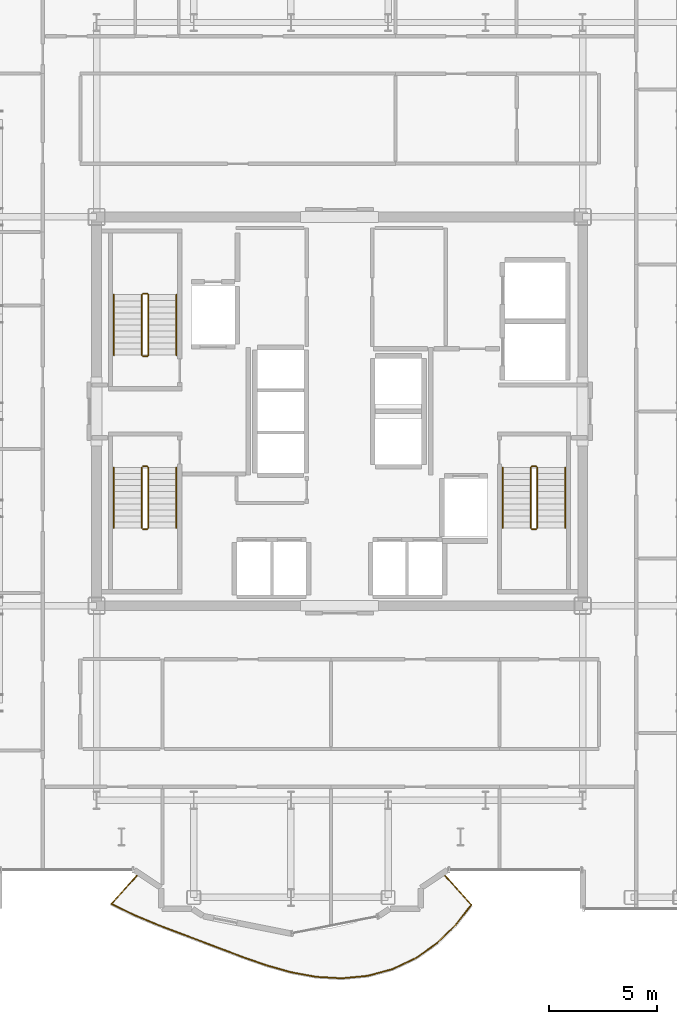
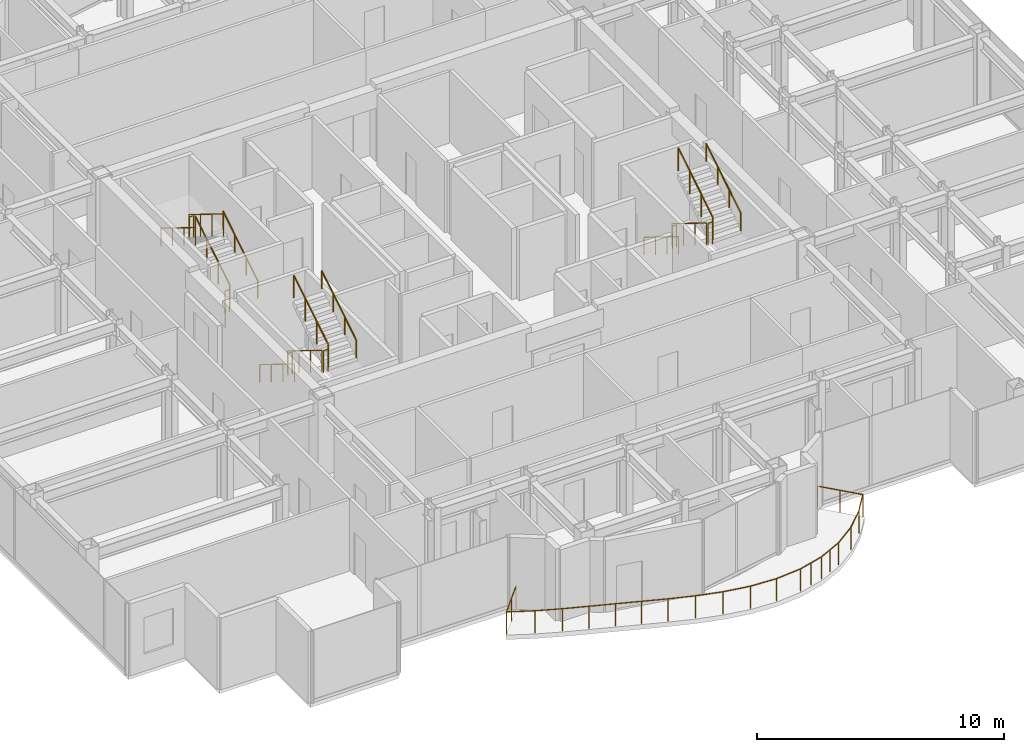
# One storey, part 20 of 21: 19 railings.
"""IFC4 building model written with IfcOpenShell, lengths in metres."""

from ifc_helpers import new_model, si_unit, direction, frame, origin, origin_2d, place, context, subcontext, project, spatial, circle, extrude, material, type_object, element, save


model = new_model("IFC4")

# Units and contexts
model_context = context("Model", 3, precision=1e-05, world=origin(), true_north=direction((0.0, 1.0)))
body_context = subcontext(model_context, "Body", "Model", "MODEL_VIEW")
ifc_project = project(units=[si_unit("LENGTHUNIT", "METRE"), si_unit("AREAUNIT", "SQUARE_METRE"), si_unit("VOLUMEUNIT", "CUBIC_METRE"), si_unit("PLANEANGLEUNIT", "RADIAN"), si_unit("MASSUNIT", "GRAM", prefix="KILO")], contexts=[model_context])

# Site, building, storey
site_placement = place(None, origin())
site = spatial("IfcSite", under=ifc_project, at=site_placement, CompositionType="ELEMENT")
building_placement = place(site_placement, origin())
building = spatial("IfcBuilding", under=site, at=building_placement, Name="Nefas-Gora Pilgrimage Tower", CompositionType="ELEMENT")
storey_placement = place(building_placement, frame((0.0, 0.0, 210.39990234375)))
storey = spatial("IfcBuildingStorey", under=building, at=storey_placement, Name="L52", CompositionType="ELEMENT", Elevation=210.39990234375)

# Railings
ifc_material_1 = material(Name="Laminated safety glass and stainless steel", Category="steel")
railing_type_1 = type_object("IfcRailingType", Name="RLG-BAL-1100", PredefinedType="BALUSTRADE", material=ifc_material_1)
railing_1_placement = place(storey_placement, frame((-9.302490234375, -21.402587890625, 0.0)))
element("IfcRailing", 1, at=railing_1_placement, inside=storey, type_object=railing_type_1, Name="L52 Wave Balcony Balustrade S2", PredefinedType="BALUSTRADE", context=body_context, shape_type="SweptSolid", body=[
    extrude(circle(Radius=0.02392578125, at=origin_2d()), frame((0.0, 0.0, 1.09619140625), z_axis=(-0.669129721026, -0.743145622634, 0.0), x_axis=(0.743145622634, -0.669129721026, 0.0)), (0.0, 0.0, 1.0), 1.880126953125),
    extrude(circle(Radius=0.02392578125, at=origin_2d()), frame((-1.258056640625, -1.397216796875, 1.09619140625), z_axis=(0.897530866126, -0.440951634934, 0.0), x_axis=(0.440951634934, 0.897530866126, 0.0)), (0.0, 0.0, 1.0), 1.156005859375),
    extrude(circle(Radius=0.02392578125, at=origin_2d()), frame((-0.220458984375, -1.906982421875, 1.09619140625), z_axis=(0.923243625246, -0.38421505494, 0.0), x_axis=(0.38421505494, 0.923243625246, 0.0)), (0.0, 0.0, 1.0), 1.1259765625),
    extrude(circle(Radius=0.02392578125, at=origin_2d()), frame((0.819091796875, -2.339599609375, 1.09619140625), z_axis=(0.934374803471, -0.356291631447, 0.0), x_axis=(0.356291631447, 0.934374803471, 0.0)), (0.0, 0.0, 1.0), 1.096435546875),
    extrude(circle(Radius=0.02392578125, at=origin_2d()), frame((1.843505859375, -2.730224609375, 1.09619140625), z_axis=(0.936142832811, -0.351619960436, 0.0), x_axis=(0.351619960436, 0.936142832811, 0.0)), (0.0, 0.0, 1.0), 1.07763671875),
    extrude(circle(Radius=0.02392578125, at=origin_2d()), frame((2.852294921875, -3.109130859375, 1.09619140625), z_axis=(0.934584678215, -0.355740747239, 0.0), x_axis=(0.355740747239, 0.934584678215, 0.0)), (0.0, 0.0, 1.0), 1.076904296875),
    extrude(circle(Radius=0.02392578125, at=origin_2d()), frame((3.858642578125, -3.4921875, 1.09619140625), z_axis=(0.935740767911, -0.352688552791, 0.0), x_axis=(0.352688552791, 0.935740767911, 0.0)), (0.0, 0.0, 1.0), 1.09375),
    extrude(circle(Radius=0.02392578125, at=origin_2d()), frame((4.882080078125, -3.8779296875, 1.09619140625), z_axis=(0.944898112614, -0.327364562496, 0.0), x_axis=(0.327364562496, 0.944898112614, 0.0)), (0.0, 0.0, 1.0), 1.122314453125),
    extrude(circle(Radius=0.02392578125, at=origin_2d()), frame((5.942626953125, -4.245361328125, 1.09619140625), z_axis=(0.96246102168, -0.271419936162, 0.0), x_axis=(0.271419936162, 0.96246102168, 0.0)), (0.0, 0.0, 1.0), 1.153076171875),
    extrude(circle(Radius=0.02392578125, at=origin_2d()), frame((7.052490234375, -4.558349609375, 1.09619140625), z_axis=(0.983449300548, -0.181183534713, 0.0), x_axis=(0.181183534713, 0.983449300548, 0.0)), (0.0, 0.0, 1.0), 1.177734375),
    extrude(circle(Radius=0.02392578125, at=origin_2d()), frame((8.210693359375, -4.771728515625, 1.09619140625), z_axis=(0.998344239726, -0.057521987157, 0.0), x_axis=(0.057521987157, 0.998344239726, 0.0)), (0.0, 0.0, 1.0), 1.192626953125),
    extrude(circle(Radius=0.02392578125, at=origin_2d()), frame((9.4013671875, -4.84033203125, 1.09619140625), z_axis=(0.995583812975, 0.093876894617, 0.0), x_axis=(-0.093876894617, 0.995583812975, 0.0)), (0.0, 0.0, 1.0), 1.198974609375),
    extrude(circle(Radius=0.02392578125, at=origin_2d()), frame((10.594970703125, -4.727783203125, 1.09619140625), z_axis=(0.965413215034, 0.260724613793, 0.0), x_axis=(-0.260724613793, 0.965413215034, 0.0)), (0.0, 0.0, 1.0), 1.200439453125),
    extrude(circle(Radius=0.02392578125, at=origin_2d()), frame((11.75390625, -4.414794921875, 1.09619140625), z_axis=(0.904015108166, 0.427500507844, 0.0), x_axis=(-0.427500507844, 0.904015108166, 0.0)), (0.0, 0.0, 1.0), 1.200439453125),
    extrude(circle(Radius=0.02392578125, at=origin_2d()), frame((12.839111328125, -3.901611328125, 1.09619140625), z_axis=(0.816392240184, 0.577497801007, 0.0), x_axis=(-0.577497801007, 0.816392240184, 0.0)), (0.0, 0.0, 1.0), 1.19970703125),
    extrude(circle(Radius=0.02392578125, at=origin_2d()), frame((13.818603515625, -3.208740234375, 1.09619140625), z_axis=(0.715228965311, 0.698890211106, 0.0), x_axis=(-0.698890211106, 0.715228965311, 0.0)), (0.0, 0.0, 1.0), 1.1953125),
    extrude(circle(Radius=0.02392578125, at=origin_2d()), frame((14.673583984375, -2.373291015625, 1.09619140625), z_axis=(0.615495930297, 0.78814006356, 0.0), x_axis=(-0.78814006356, 0.615495930297, 0.0)), (0.0, 0.0, 1.0), 1.18359375),
    extrude(circle(Radius=0.02392578125, at=origin_2d()), frame((15.402099609375, -1.4404296875, 1.09619140625), z_axis=(-0.669173462492, 0.743106235404, 0.0), x_axis=(-0.743106235404, -0.669173462492, 0.0)), (0.0, 0.0, 1.0), 1.9384765625),
    extrude(circle(Radius=0.02099609375, at=origin_2d()), origin(), (0.0, 0.0, 1.0), 1.072021484375),
    extrude(circle(Radius=0.02099609375, at=origin_2d()), frame((-0.62890625, -0.69873046875, 0.0)), (0.0, 0.0, 1.0), 1.072021484375),
    extrude(circle(Radius=0.02099609375, at=origin_2d()), frame((-1.258056640625, -1.397216796875, 0.0)), (0.0, 0.0, 1.0), 1.072021484375),
    extrude(circle(Radius=0.02099609375, at=origin_2d()), frame((-0.220458984375, -1.906982421875, 0.0)), (0.0, 0.0, 1.0), 1.072021484375),
    extrude(circle(Radius=0.02099609375, at=origin_2d()), frame((0.819091796875, -2.339599609375, 0.0)), (0.0, 0.0, 1.0), 1.072021484375),
    extrude(circle(Radius=0.02099609375, at=origin_2d()), frame((1.843505859375, -2.730224609375, 0.0)), (0.0, 0.0, 1.0), 1.072021484375),
    extrude(circle(Radius=0.02099609375, at=origin_2d()), frame((2.852294921875, -3.109130859375, 0.0)), (0.0, 0.0, 1.0), 1.072021484375),
    extrude(circle(Radius=0.02099609375, at=origin_2d()), frame((3.858642578125, -3.4921875, 0.0)), (0.0, 0.0, 1.0), 1.072021484375),
    extrude(circle(Radius=0.02099609375, at=origin_2d()), frame((4.882080078125, -3.8779296875, 0.0)), (0.0, 0.0, 1.0), 1.072021484375),
    extrude(circle(Radius=0.02099609375, at=origin_2d()), frame((5.942626953125, -4.245361328125, 0.0)), (0.0, 0.0, 1.0), 1.072021484375),
    extrude(circle(Radius=0.02099609375, at=origin_2d()), frame((7.052490234375, -4.558349609375, 0.0)), (0.0, 0.0, 1.0), 1.072021484375),
    extrude(circle(Radius=0.02099609375, at=origin_2d()), frame((8.210693359375, -4.771728515625, 0.0)), (0.0, 0.0, 1.0), 1.072021484375),
    extrude(circle(Radius=0.02099609375, at=origin_2d()), frame((9.4013671875, -4.84033203125, 0.0)), (0.0, 0.0, 1.0), 1.072021484375),
    extrude(circle(Radius=0.02099609375, at=origin_2d()), frame((10.594970703125, -4.727783203125, 0.0)), (0.0, 0.0, 1.0), 1.072021484375),
    extrude(circle(Radius=0.02099609375, at=origin_2d()), frame((11.17431640625, -4.5712890625, 0.0)), (0.0, 0.0, 1.0), 1.072021484375),
    extrude(circle(Radius=0.02099609375, at=origin_2d()), frame((11.75390625, -4.414794921875, 0.0)), (0.0, 0.0, 1.0), 1.072021484375),
    extrude(circle(Radius=0.02099609375, at=origin_2d()), frame((12.29638671875, -4.158203125, 0.0)), (0.0, 0.0, 1.0), 1.072021484375),
    extrude(circle(Radius=0.02099609375, at=origin_2d()), frame((12.839111328125, -3.901611328125, 0.0)), (0.0, 0.0, 1.0), 1.072021484375),
    extrude(circle(Radius=0.02099609375, at=origin_2d()), frame((13.818603515625, -3.208740234375, 0.0)), (0.0, 0.0, 1.0), 1.072021484375),
    extrude(circle(Radius=0.02099609375, at=origin_2d()), frame((14.673583984375, -2.373291015625, 0.0)), (0.0, 0.0, 1.0), 1.072021484375),
    extrude(circle(Radius=0.02099609375, at=origin_2d()), frame((15.402099609375, -1.4404296875, 0.0)), (0.0, 0.0, 1.0), 1.072021484375),
    extrude(circle(Radius=0.02099609375, at=origin_2d()), frame((14.75341796875, -0.72021484375, 0.0)), (0.0, 0.0, 1.0), 1.072021484375),
    extrude(circle(Radius=0.02099609375, at=origin_2d()), frame((14.10498046875, 0.0, 0.0)), (0.0, 0.0, 1.0), 1.072021484375),
])
ifc_material_2 = material(Name="Painted galvanised steel", Category="steel")
railing_type_2 = type_object("IfcRailingType", Name="RLG-STR-GUARD-1100", PredefinedType="GUARDRAIL", material=ifc_material_2)
railing_2_placement = place(storey_placement, frame((-8.85009765625, 2.60009765625, 0.1728515625)))
element("IfcRailing", 2, at=railing_2_placement, inside=storey, type_object=railing_type_2, Name="L52 ST-01 stair guard 1", PredefinedType="GUARDRAIL", context=body_context, shape_type="SweptSolid", body=[
    extrude(circle(Radius=0.02392578125, at=origin_2d()), frame((0.0, 0.0, 1.09619140625), z_axis=(0.0, 0.851069175582, 0.525053576669), x_axis=(-1.0, 0.0, 0.0)), (0.0, 0.0, 1.0), 3.289794921875),
    extrude(circle(Radius=0.02099609375, at=origin_2d()), origin(), (0.0, 0.0, 1.0), 1.072021484375),
    extrude(circle(Radius=0.02099609375, at=origin_2d()), frame((0.0, 0.933349609375, 0.57568359375)), (0.0, 0.0, 1.0), 1.072021484375),
    extrude(circle(Radius=0.02099609375, at=origin_2d()), frame((0.0, 1.866455078125, 1.151611328125)), (0.0, 0.0, 1.0), 1.072021484375),
    extrude(circle(Radius=0.02099609375, at=origin_2d()), frame((0.0, 2.7998046875, 1.727294921875)), (0.0, 0.0, 1.0), 1.072021484375),
])
railing_3_placement = place(storey_placement, frame((-8.89990234375, 5.449951171875, 1.900146484375)))
element("IfcRailing", 3, at=railing_3_placement, inside=storey, type_object=railing_type_2, Name="L52 ST-01 stair guard 2", PredefinedType="GUARDRAIL", context=body_context, shape_type="SweptSolid", body=[
    extrude(circle(Radius=0.02392578125, at=origin_2d()), frame((0.0, 0.0, 1.09619140625), z_axis=(-1.0, 0.0, 0.0), x_axis=(0.0, -1.0, 0.0)), (0.0, 0.0, 1.0), 0.2001953125),
    extrude(circle(Radius=0.02099609375, at=origin_2d()), origin(), (0.0, 0.0, 1.0), 1.072021484375),
    extrude(circle(Radius=0.02099609375, at=origin_2d()), frame((-0.2001953125, 0.0, 0.0)), (0.0, 0.0, 1.0), 1.072021484375),
])
railing_4_placement = place(storey_placement, frame((-9.14990234375, 5.39990234375, 2.07275390625)))
element("IfcRailing", 4, at=railing_4_placement, inside=storey, type_object=railing_type_2, Name="L52 ST-01 stair guard 3", PredefinedType="GUARDRAIL", context=body_context, shape_type="SweptSolid", body=[
    extrude(circle(Radius=0.02392578125, at=origin_2d()), frame((0.0, 0.0, 1.09619140625), z_axis=(0.0, -0.851069175582, 0.525053576669), x_axis=(1.0, 0.0, 0.0)), (0.0, 0.0, 1.0), 3.289794921875),
    extrude(circle(Radius=0.02099609375, at=origin_2d()), origin(), (0.0, 0.0, 1.0), 1.072021484375),
    extrude(circle(Radius=0.02099609375, at=origin_2d()), frame((0.0, -0.933349609375, 0.57568359375)), (0.0, 0.0, 1.0), 1.072021484375),
    extrude(circle(Radius=0.02099609375, at=origin_2d()), frame((0.0, -1.866455078125, 1.151611328125)), (0.0, 0.0, 1.0), 1.072021484375),
    extrude(circle(Radius=0.02099609375, at=origin_2d()), frame((0.0, -2.7998046875, 1.727294921875)), (0.0, 0.0, 1.0), 1.072021484375),
])
railing_5_placement = place(storey_placement, frame((-8.89990234375, 2.550048828125, 0.0)))
element("IfcRailing", 5, at=railing_5_placement, inside=storey, type_object=railing_type_2, Name="L52 ST-01 stair guard 4", PredefinedType="GUARDRAIL", context=body_context, shape_type="SweptSolid", body=[
    extrude(circle(Radius=0.02392578125, at=origin_2d()), frame((0.0, 0.0, 1.09619140625), z_axis=(-1.0, 0.0, 0.0), x_axis=(0.0, -1.0, 0.0)), (0.0, 0.0, 1.0), 0.2001953125),
    extrude(circle(Radius=0.02099609375, at=origin_2d()), origin(), (0.0, 0.0, 1.0), 1.072021484375),
    extrude(circle(Radius=0.02099609375, at=origin_2d()), frame((-0.2001953125, 0.0, 0.0)), (0.0, 0.0, 1.0), 1.072021484375),
])
railing_6_placement = place(storey_placement, frame((8.85009765625, -2.60009765625, 0.1728515625)))
element("IfcRailing", 6, at=railing_6_placement, inside=storey, type_object=railing_type_2, Name="L52 ST-02 stair guard 1", PredefinedType="GUARDRAIL", context=body_context, shape_type="SweptSolid", body=[
    extrude(circle(Radius=0.02392578125, at=origin_2d()), frame((0.0, 0.0, 1.09619140625), z_axis=(0.0, -0.851069175582, 0.525053576669), x_axis=(1.0, 0.0, 0.0)), (0.0, 0.0, 1.0), 3.289794921875),
    extrude(circle(Radius=0.02099609375, at=origin_2d()), origin(), (0.0, 0.0, 1.0), 1.072021484375),
    extrude(circle(Radius=0.02099609375, at=origin_2d()), frame((0.0, -0.933349609375, 0.57568359375)), (0.0, 0.0, 1.0), 1.072021484375),
    extrude(circle(Radius=0.02099609375, at=origin_2d()), frame((0.0, -1.866455078125, 1.151611328125)), (0.0, 0.0, 1.0), 1.072021484375),
    extrude(circle(Radius=0.02099609375, at=origin_2d()), frame((0.0, -2.7998046875, 1.727294921875)), (0.0, 0.0, 1.0), 1.072021484375),
])
railing_7_placement = place(storey_placement, frame((8.89990234375, -5.449951171875, 1.900146484375)))
element("IfcRailing", 7, at=railing_7_placement, inside=storey, type_object=railing_type_2, Name="L52 ST-02 stair guard 2", PredefinedType="GUARDRAIL", context=body_context, shape_type="SweptSolid", body=[
    extrude(circle(Radius=0.02392578125, at=origin_2d()), frame((0.0, 0.0, 1.09619140625), z_axis=(1.0, 0.0, 0.0), x_axis=(0.0, 1.0, 0.0)), (0.0, 0.0, 1.0), 0.2001953125),
    extrude(circle(Radius=0.02099609375, at=origin_2d()), origin(), (0.0, 0.0, 1.0), 1.072021484375),
    extrude(circle(Radius=0.02099609375, at=origin_2d()), frame((0.2001953125, 0.0, 0.0)), (0.0, 0.0, 1.0), 1.072021484375),
])
railing_8_placement = place(storey_placement, frame((9.14990234375, -5.39990234375, 2.07275390625)))
element("IfcRailing", 8, at=railing_8_placement, inside=storey, type_object=railing_type_2, Name="L52 ST-02 stair guard 3", PredefinedType="GUARDRAIL", context=body_context, shape_type="SweptSolid", body=[
    extrude(circle(Radius=0.02392578125, at=origin_2d()), frame((0.0, 0.0, 1.09619140625), z_axis=(0.0, 0.851069175582, 0.525053576669), x_axis=(-1.0, 0.0, 0.0)), (0.0, 0.0, 1.0), 3.289794921875),
    extrude(circle(Radius=0.02099609375, at=origin_2d()), origin(), (0.0, 0.0, 1.0), 1.072021484375),
    extrude(circle(Radius=0.02099609375, at=origin_2d()), frame((0.0, 0.933349609375, 0.57568359375)), (0.0, 0.0, 1.0), 1.072021484375),
    extrude(circle(Radius=0.02099609375, at=origin_2d()), frame((0.0, 1.866455078125, 1.151611328125)), (0.0, 0.0, 1.0), 1.072021484375),
    extrude(circle(Radius=0.02099609375, at=origin_2d()), frame((0.0, 2.7998046875, 1.727294921875)), (0.0, 0.0, 1.0), 1.072021484375),
])
railing_9_placement = place(storey_placement, frame((8.89990234375, -2.550048828125, 0.0)))
element("IfcRailing", 9, at=railing_9_placement, inside=storey, type_object=railing_type_2, Name="L52 ST-02 stair guard 4", PredefinedType="GUARDRAIL", context=body_context, shape_type="SweptSolid", body=[
    extrude(circle(Radius=0.02392578125, at=origin_2d()), frame((0.0, 0.0, 1.09619140625), z_axis=(1.0, 0.0, 0.0), x_axis=(0.0, 1.0, 0.0)), (0.0, 0.0, 1.0), 0.2001953125),
    extrude(circle(Radius=0.02099609375, at=origin_2d()), origin(), (0.0, 0.0, 1.0), 1.072021484375),
    extrude(circle(Radius=0.02099609375, at=origin_2d()), frame((0.2001953125, 0.0, 0.0)), (0.0, 0.0, 1.0), 1.072021484375),
])
railing_10_placement = place(storey_placement, frame((-9.14990234375, -2.60009765625, 0.1728515625)))
element("IfcRailing", 10, at=railing_10_placement, inside=storey, type_object=railing_type_2, Name="L52 ST-03 stair guard 1", PredefinedType="GUARDRAIL", context=body_context, shape_type="SweptSolid", body=[
    extrude(circle(Radius=0.02392578125, at=origin_2d()), frame((0.0, 0.0, 1.09619140625), z_axis=(0.0, -0.851069175582, 0.525053576669), x_axis=(1.0, 0.0, 0.0)), (0.0, 0.0, 1.0), 3.289794921875),
    extrude(circle(Radius=0.02099609375, at=origin_2d()), origin(), (0.0, 0.0, 1.0), 1.072021484375),
    extrude(circle(Radius=0.02099609375, at=origin_2d()), frame((0.0, -0.933349609375, 0.57568359375)), (0.0, 0.0, 1.0), 1.072021484375),
    extrude(circle(Radius=0.02099609375, at=origin_2d()), frame((0.0, -1.866455078125, 1.151611328125)), (0.0, 0.0, 1.0), 1.072021484375),
    extrude(circle(Radius=0.02099609375, at=origin_2d()), frame((0.0, -2.7998046875, 1.727294921875)), (0.0, 0.0, 1.0), 1.072021484375),
])
railing_11_placement = place(storey_placement, frame((-9.10009765625, -5.449951171875, 1.900146484375)))
element("IfcRailing", 11, at=railing_11_placement, inside=storey, type_object=railing_type_2, Name="L52 ST-03 stair guard 2", PredefinedType="GUARDRAIL", context=body_context, shape_type="SweptSolid", body=[
    extrude(circle(Radius=0.02392578125, at=origin_2d()), frame((0.0, 0.0, 1.09619140625), z_axis=(1.0, 0.0, 0.0), x_axis=(0.0, 1.0, 0.0)), (0.0, 0.0, 1.0), 0.2001953125),
    extrude(circle(Radius=0.02099609375, at=origin_2d()), origin(), (0.0, 0.0, 1.0), 1.072021484375),
    extrude(circle(Radius=0.02099609375, at=origin_2d()), frame((0.2001953125, 0.0, 0.0)), (0.0, 0.0, 1.0), 1.072021484375),
])
railing_12_placement = place(storey_placement, frame((-8.85009765625, -5.39990234375, 2.07275390625)))
element("IfcRailing", 12, at=railing_12_placement, inside=storey, type_object=railing_type_2, Name="L52 ST-03 stair guard 3", PredefinedType="GUARDRAIL", context=body_context, shape_type="SweptSolid", body=[
    extrude(circle(Radius=0.02392578125, at=origin_2d()), frame((0.0, 0.0, 1.09619140625), z_axis=(0.0, 0.851069175582, 0.525053576669), x_axis=(-1.0, 0.0, 0.0)), (0.0, 0.0, 1.0), 3.289794921875),
    extrude(circle(Radius=0.02099609375, at=origin_2d()), origin(), (0.0, 0.0, 1.0), 1.072021484375),
    extrude(circle(Radius=0.02099609375, at=origin_2d()), frame((0.0, 0.933349609375, 0.57568359375)), (0.0, 0.0, 1.0), 1.072021484375),
    extrude(circle(Radius=0.02099609375, at=origin_2d()), frame((0.0, 1.866455078125, 1.151611328125)), (0.0, 0.0, 1.0), 1.072021484375),
    extrude(circle(Radius=0.02099609375, at=origin_2d()), frame((0.0, 2.7998046875, 1.727294921875)), (0.0, 0.0, 1.0), 1.072021484375),
])
railing_13_placement = place(storey_placement, frame((-9.10009765625, -2.550048828125, 0.0)))
element("IfcRailing", 13, at=railing_13_placement, inside=storey, type_object=railing_type_2, Name="L52 ST-03 stair guard 4", PredefinedType="GUARDRAIL", context=body_context, shape_type="SweptSolid", body=[
    extrude(circle(Radius=0.02392578125, at=origin_2d()), frame((0.0, 0.0, 1.09619140625), z_axis=(1.0, 0.0, 0.0), x_axis=(0.0, 1.0, 0.0)), (0.0, 0.0, 1.0), 0.2001953125),
    extrude(circle(Radius=0.02099609375, at=origin_2d()), origin(), (0.0, 0.0, 1.0), 1.072021484375),
    extrude(circle(Radius=0.02099609375, at=origin_2d()), frame((0.2001953125, 0.0, 0.0)), (0.0, 0.0, 1.0), 1.072021484375),
])
ifc_material_3 = material(Name="Brushed stainless steel", Category="steel")
railing_type_3 = type_object("IfcRailingType", Name="RLG-STR-HAND-900", PredefinedType="HANDRAIL", material=ifc_material_3)
railing_14_placement = place(storey_placement, frame((-7.550048828125, 2.60009765625, 0.1728515625)))
element("IfcRailing", 14, at=railing_14_placement, inside=storey, type_object=railing_type_3, Name="L52 ST-01 stair handrail 1", PredefinedType="HANDRAIL", context=body_context, shape_type="SweptSolid", body=[
    extrude(circle(Radius=0.02392578125, at=origin_2d()), frame((0.0, 0.0, 0.8759765625), z_axis=(0.0, 0.851069175582, 0.525053576669), x_axis=(-1.0, 0.0, 0.0)), (0.0, 0.0, 1.0), 3.289794921875),
    extrude(circle(Radius=0.02099609375, at=origin_2d()), origin(), (0.0, 0.0, 1.0), 0.851806640625),
    extrude(circle(Radius=0.02099609375, at=origin_2d()), frame((0.0, 0.933349609375, 0.57568359375)), (0.0, 0.0, 1.0), 0.851806640625),
    extrude(circle(Radius=0.02099609375, at=origin_2d()), frame((0.0, 1.866455078125, 1.151611328125)), (0.0, 0.0, 1.0), 0.851806640625),
    extrude(circle(Radius=0.02099609375, at=origin_2d()), frame((0.0, 2.7998046875, 1.727294921875)), (0.0, 0.0, 1.0), 0.851806640625),
])
for number, where, name in (
    (15, (-10.449951171875, 5.39990234375, 2.07275390625), "L52 ST-01 stair handrail 2"),
    (16, (7.550048828125, -2.60009765625, 0.1728515625), "L52 ST-02 stair handrail 1"),
):
    element("IfcRailing", number, at=place(storey_placement, frame(where)), inside=storey, type_object=railing_type_3, Name=name, PredefinedType="HANDRAIL", context=body_context, shape_type="SweptSolid", body=[
        extrude(circle(Radius=0.02392578125, at=origin_2d()), frame((0.0, 0.0, 0.8759765625), z_axis=(0.0, -0.851069175582, 0.525053576669), x_axis=(1.0, 0.0, 0.0)), (0.0, 0.0, 1.0), 3.289794921875),
        extrude(circle(Radius=0.02099609375, at=origin_2d()), origin(), (0.0, 0.0, 1.0), 0.851806640625),
        extrude(circle(Radius=0.02099609375, at=origin_2d()), frame((0.0, -0.933349609375, 0.57568359375)), (0.0, 0.0, 1.0), 0.851806640625),
        extrude(circle(Radius=0.02099609375, at=origin_2d()), frame((0.0, -1.866455078125, 1.151611328125)), (0.0, 0.0, 1.0), 0.851806640625),
        extrude(circle(Radius=0.02099609375, at=origin_2d()), frame((0.0, -2.7998046875, 1.727294921875)), (0.0, 0.0, 1.0), 0.851806640625),
    ])
railing_15_placement = place(storey_placement, frame((10.449951171875, -5.39990234375, 2.07275390625)))
element("IfcRailing", 17, at=railing_15_placement, inside=storey, type_object=railing_type_3, Name="L52 ST-02 stair handrail 2", PredefinedType="HANDRAIL", context=body_context, shape_type="SweptSolid", body=[
    extrude(circle(Radius=0.02392578125, at=origin_2d()), frame((0.0, 0.0, 0.8759765625), z_axis=(0.0, 0.851069175582, 0.525053576669), x_axis=(-1.0, 0.0, 0.0)), (0.0, 0.0, 1.0), 3.289794921875),
    extrude(circle(Radius=0.02099609375, at=origin_2d()), origin(), (0.0, 0.0, 1.0), 0.851806640625),
    extrude(circle(Radius=0.02099609375, at=origin_2d()), frame((0.0, 0.933349609375, 0.57568359375)), (0.0, 0.0, 1.0), 0.851806640625),
    extrude(circle(Radius=0.02099609375, at=origin_2d()), frame((0.0, 1.866455078125, 1.151611328125)), (0.0, 0.0, 1.0), 0.851806640625),
    extrude(circle(Radius=0.02099609375, at=origin_2d()), frame((0.0, 2.7998046875, 1.727294921875)), (0.0, 0.0, 1.0), 0.851806640625),
])
railing_16_placement = place(storey_placement, frame((-10.449951171875, -2.60009765625, 0.1728515625)))
element("IfcRailing", 18, at=railing_16_placement, inside=storey, type_object=railing_type_3, Name="L52 ST-03 stair handrail 1", PredefinedType="HANDRAIL", context=body_context, shape_type="SweptSolid", body=[
    extrude(circle(Radius=0.02392578125, at=origin_2d()), frame((0.0, 0.0, 0.8759765625), z_axis=(0.0, -0.851069175582, 0.525053576669), x_axis=(1.0, 0.0, 0.0)), (0.0, 0.0, 1.0), 3.289794921875),
    extrude(circle(Radius=0.02099609375, at=origin_2d()), origin(), (0.0, 0.0, 1.0), 0.851806640625),
    extrude(circle(Radius=0.02099609375, at=origin_2d()), frame((0.0, -0.933349609375, 0.57568359375)), (0.0, 0.0, 1.0), 0.851806640625),
    extrude(circle(Radius=0.02099609375, at=origin_2d()), frame((0.0, -1.866455078125, 1.151611328125)), (0.0, 0.0, 1.0), 0.851806640625),
    extrude(circle(Radius=0.02099609375, at=origin_2d()), frame((0.0, -2.7998046875, 1.727294921875)), (0.0, 0.0, 1.0), 0.851806640625),
])
railing_17_placement = place(storey_placement, frame((-7.550048828125, -5.39990234375, 2.07275390625)))
element("IfcRailing", 19, at=railing_17_placement, inside=storey, type_object=railing_type_3, Name="L52 ST-03 stair handrail 2", PredefinedType="HANDRAIL", context=body_context, shape_type="SweptSolid", body=[
    extrude(circle(Radius=0.02392578125, at=origin_2d()), frame((0.0, 0.0, 0.8759765625), z_axis=(0.0, 0.851069175582, 0.525053576669), x_axis=(-1.0, 0.0, 0.0)), (0.0, 0.0, 1.0), 3.289794921875),
    extrude(circle(Radius=0.02099609375, at=origin_2d()), origin(), (0.0, 0.0, 1.0), 0.851806640625),
    extrude(circle(Radius=0.02099609375, at=origin_2d()), frame((0.0, 0.933349609375, 0.57568359375)), (0.0, 0.0, 1.0), 0.851806640625),
    extrude(circle(Radius=0.02099609375, at=origin_2d()), frame((0.0, 1.866455078125, 1.151611328125)), (0.0, 0.0, 1.0), 0.851806640625),
    extrude(circle(Radius=0.02099609375, at=origin_2d()), frame((0.0, 2.7998046875, 1.727294921875)), (0.0, 0.0, 1.0), 0.851806640625),
])

save(model, "model.ifc")
